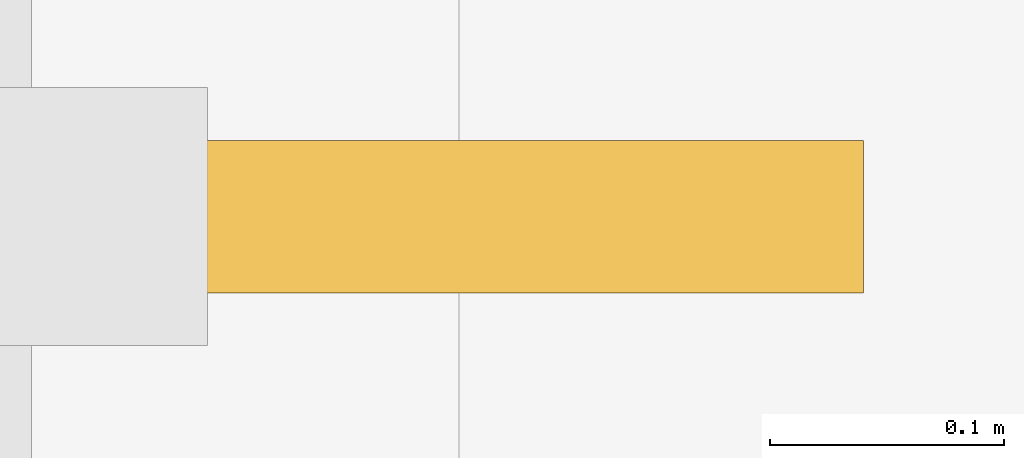
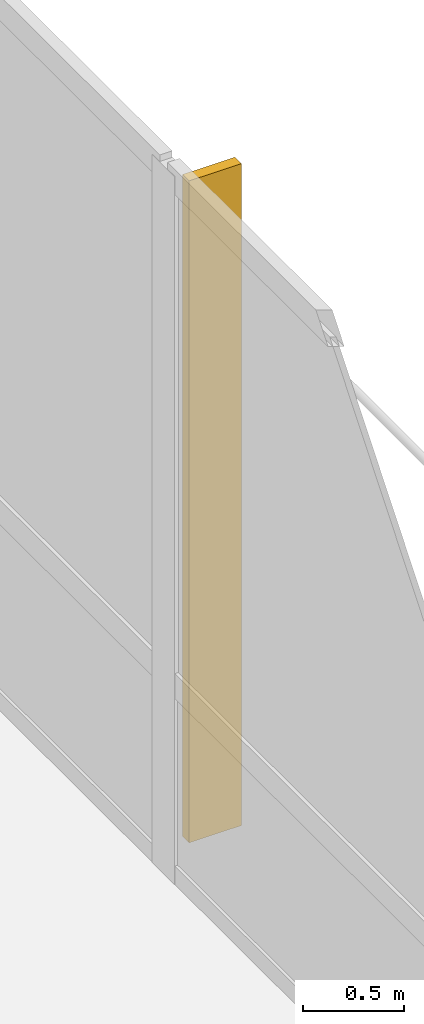
# One storey, part 24 of 26: 1 shading device.
"""IFC4 building model written with IfcOpenShell, lengths in metres."""

from ifc_helpers import new_model, si_unit, direction, frame, origin, place, context, subcontext, project, spatial, polyline, outline, extrude, material, layer, layer_set, type_object, element, save


model = new_model("IFC4")

# Units and contexts
model_context = context("Model", 3, precision=1e-05, world=origin(), true_north=direction((0.0, 1.0)))
body_context = subcontext(model_context, "Body", "Model", "MODEL_VIEW")
ifc_project = project(units=[si_unit("LENGTHUNIT", "METRE"), si_unit("AREAUNIT", "SQUARE_METRE"), si_unit("VOLUMEUNIT", "CUBIC_METRE"), si_unit("PLANEANGLEUNIT", "RADIAN"), si_unit("MASSUNIT", "GRAM", prefix="KILO")], contexts=[model_context])

# Site, building, storey
site_placement = place(None, origin())
site = spatial("IfcSite", under=ifc_project, at=site_placement, CompositionType="ELEMENT")
building_placement = place(site_placement, origin())
building = spatial("IfcBuilding", under=site, at=building_placement, Name="Qalmaran Belvedere Hotel", CompositionType="ELEMENT")
storey_placement = place(building_placement, frame((0.0, 0.0, 19.199951171875)))
storey = spatial("IfcBuildingStorey", under=building, at=storey_placement, Name="L04", CompositionType="ELEMENT", Elevation=19.199951171875)

# Shading device
ifc_material = material(Name="Anodised Bronze Aluminium", Category="aluminium")
ifc_layer = layer(ifc_material, 0.06494140625, Name="Anodised Bronze Aluminium")
ifc_layer_set = layer_set([ifc_layer], Name="Anodised Bronze Aluminium")
shading_device_type = type_object("IfcShadingDeviceType", Name="FIN-BRNZ-300", PredefinedType="USERDEFINED", material=ifc_layer_set)
shading_device_placement = place(storey_placement, frame((0.0, 0.0, 0.16015625)))
element("IfcShadingDevice", 1, at=shading_device_placement, inside=storey, type_object=shading_device_type, Name="L04 Bronze Fin 1", ObjectType="FIN", PredefinedType="USERDEFINED", context=body_context, shape_type="SweptSolid", body=[
    extrude(outline(polyline([(67.87255859375, 11.179443359375), (68.172607421875, 11.179443359375), (68.172607421875, 11.244384765625), (67.87255859375, 11.244384765625), (67.87255859375, 11.179443359375)])), origin(), (0.0, 0.0, 1.0), 4.019775390625),
])

save(model, "model.ifc")
